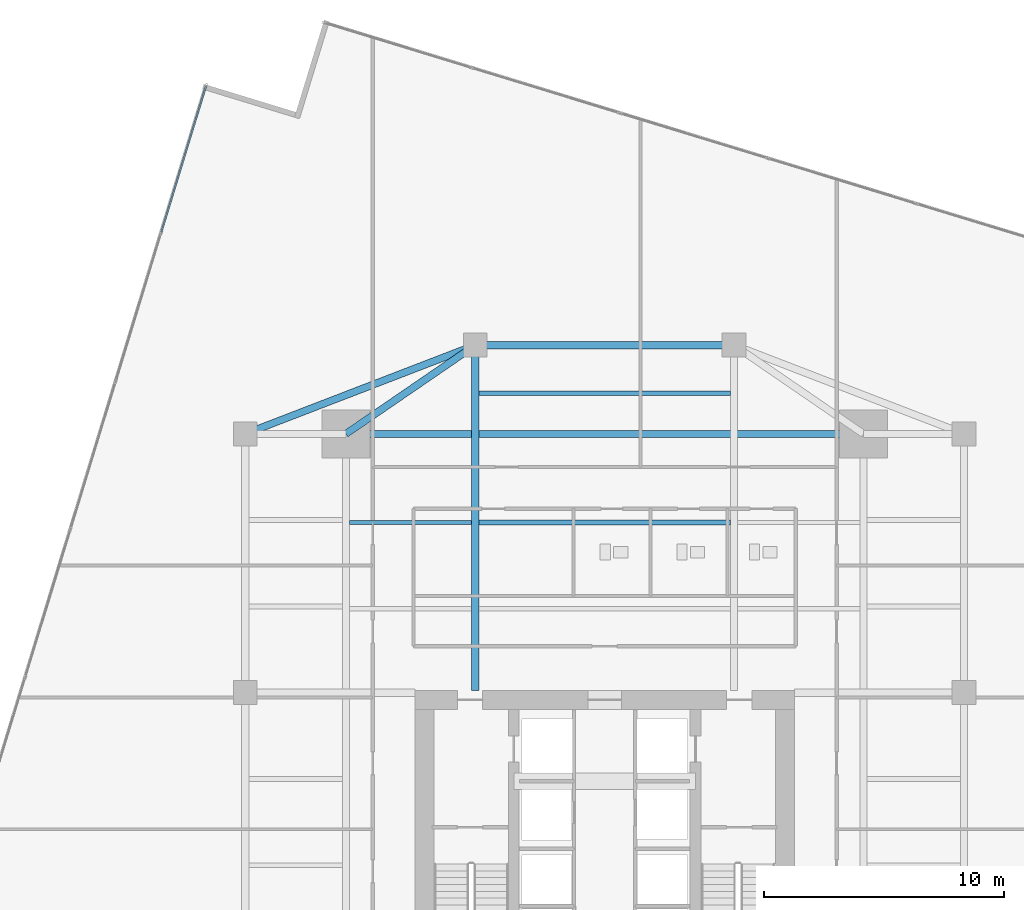
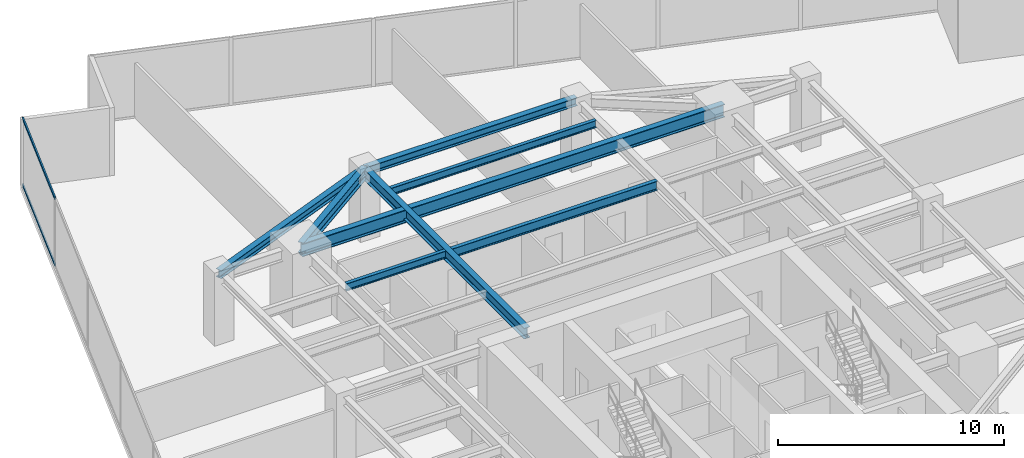
# One storey, part 15 of 26: 8 beams, 2 members, 1 element without a shape of its own.
"""IFC4 building model written with IfcOpenShell, lengths in metres."""

from ifc_helpers import new_model, si_unit, direction, frame, origin, origin_2d, place, context, subcontext, project, spatial, hollow_rectangle, i_section, extrude, source, transform, mapped, material, material_profile, profile_set, type_object, type_shapes, element, aggregate, save


model = new_model("IFC4")

# Units and contexts
model_context = context("Model", 3, precision=1e-05, world=origin(), true_north=direction((0.0, 1.0)))
body_context = subcontext(model_context, "Body", "Model", "MODEL_VIEW")
ifc_project = project(units=[si_unit("LENGTHUNIT", "METRE"), si_unit("AREAUNIT", "SQUARE_METRE"), si_unit("VOLUMEUNIT", "CUBIC_METRE"), si_unit("PLANEANGLEUNIT", "RADIAN"), si_unit("MASSUNIT", "GRAM", prefix="KILO")], contexts=[model_context])

# Site, building, storey
site_placement = place(None, origin())
site = spatial("IfcSite", under=ifc_project, at=site_placement, CompositionType="ELEMENT")
building_placement = place(site_placement, origin())
building = spatial("IfcBuilding", under=site, at=building_placement, Name="Krantzveldt Concourse Tower", CompositionType="ELEMENT")
storey_placement = place(building_placement, frame((0.0, 0.0, 109.800048828125)))
storey = spatial("IfcBuildingStorey", under=building, at=storey_placement, Name="L26", CompositionType="ELEMENT", Elevation=109.800048828125)

# Beams
ifc_material_1 = material(Name="Steel S355J2", Category="steel")
ifc_material_profile_1 = material_profile(ifc_material_1, i_section(OverallWidth=0.300048828125, OverallDepth=0.699951171875, WebThickness=0.01708984375, FlangeThickness=0.031982421875, FilletRadius=0.027099609375, at=origin_2d()), Name="Steel S355J2", Category="steel")
ifc_profile_set_1 = profile_set([ifc_material_profile_1], Name="Steel S355J2 - HEB 700")
beam_type_1 = type_object("IfcBeamType", Name="BM-B-HEB700", PredefinedType="BEAM", material=ifc_profile_set_1)
shared_shape_1 = source(origin(), body_context, "Body", "SweptSolid", [
    extrude(i_section(OverallWidth=0.300048828125, OverallDepth=0.699951171875, WebThickness=0.01708984375, FlangeThickness=0.031982421875, FilletRadius=0.027099609375, at=origin_2d()), origin(), (0.0, 0.0, 1.0), 21.60009765625),
])
type_shapes(beam_type_1, [shared_shape_1])
beam_1_placement = place(storey_placement, frame((25.199951171875, 37.5, 3.320068359375), z_axis=(1.0, 0.0, 0.0), x_axis=(0.0, 1.0, 0.0)))
element("IfcBeam", 1, at=beam_1_placement, inside=storey, type_object=beam_type_1, Name="L26 Tower Girder BG-MN", PredefinedType="BEAM", context=body_context, shape_type="MappedRepresentation", body=[
    mapped(shared_shape_1, transform((0.0, 0.0, 0.0), x_axis=(1.0, 0.0, 0.0), y_axis=(0.0, 1.0, 0.0), z_axis=(0.0, 0.0, 1.0), scale=1.0)),
])
ifc_material_2 = material(Name="Steel S355JR", Category="steel")
ifc_material_profile_2 = material_profile(ifc_material_2, i_section(OverallWidth=0.300048828125, OverallDepth=0.590087890625, WebThickness=0.012939453125, FlangeThickness=0.02490234375, FilletRadius=0.027099609375, at=origin_2d()), Name="Steel S355JR", Category="steel")
ifc_profile_set_2 = profile_set([ifc_material_profile_2], Name="Steel S355JR - HEA 600")
beam_type_2 = type_object("IfcBeamType", Name="BM-B-HEA600", PredefinedType="BEAM", material=ifc_profile_set_2)
shared_shape_2 = source(origin(), body_context, "Body", "SweptSolid", [
    extrude(i_section(OverallWidth=0.300048828125, OverallDepth=0.590087890625, WebThickness=0.012939453125, FlangeThickness=0.02490234375, FilletRadius=0.027099609375, at=origin_2d()), origin(), (0.0, 0.0, 1.0), 14.39990234375),
])
beam_2_placement = place(storey_placement, frame((30.60009765625, 26.800048828125, 3.375), z_axis=(0.0, 1.0, 0.0), x_axis=(-1.0, 0.0, 0.0)))
element("IfcBeam", 2, at=beam_2_placement, inside=storey, type_object=beam_type_2, Name="L26 Tower Girder BG-CNW", PredefinedType="BEAM", context=body_context, shape_type="MappedRepresentation", body=[
    mapped(shared_shape_2, transform((0.0, 0.0, 0.0), x_axis=(1.0, 0.0, 0.0), y_axis=(0.0, 1.0, 0.0), z_axis=(0.0, 0.0, 1.0), scale=1.0)),
])
ifc_material_profile_3 = material_profile(ifc_material_2, i_section(OverallWidth=0.300048828125, OverallDepth=0.43994140625, WebThickness=0.011474609375, FlangeThickness=0.02099609375, FilletRadius=0.027099609375, at=origin_2d()), Name="Steel S355JR", Category="steel")
ifc_profile_set_3 = profile_set([ifc_material_profile_3], Name="Steel S355JR - HEA 450")
beam_type_3 = type_object("IfcBeamType", Name="BM-SP-HEA450", PredefinedType="SPANDREL", material=ifc_profile_set_3)
shared_shape_3 = source(origin(), body_context, "Body", "SweptSolid", [
    extrude(i_section(OverallWidth=0.300048828125, OverallDepth=0.43994140625, WebThickness=0.011474609375, FlangeThickness=0.02099609375, FilletRadius=0.027099609375, at=origin_2d()), origin(), (0.0, 0.0, 1.0), 10.288330078125),
])
beam_3_placement = place(storey_placement, frame((21.0, 37.5, 3.449951171875), z_axis=(0.933097690408, 0.359622997257, 0.0), x_axis=(-0.359622997257, 0.933097690408, 0.0)))
element("IfcBeam", 3, at=beam_3_placement, inside=storey, type_object=beam_type_3, Name="L26 Tower Girder SP-R03", PredefinedType="SPANDREL", context=body_context, shape_type="MappedRepresentation", body=[
    mapped(shared_shape_3, transform((0.0, 0.0, 0.0), x_axis=(1.0, 0.0, 0.0), y_axis=(0.0, 1.0, 0.0), z_axis=(0.0, 0.0, 1.0), scale=1.0)),
])
shared_shape_4 = source(origin(), body_context, "Body", "SweptSolid", [
    extrude(i_section(OverallWidth=0.300048828125, OverallDepth=0.43994140625, WebThickness=0.011474609375, FlangeThickness=0.02099609375, FilletRadius=0.027099609375, at=origin_2d()), origin(), (0.0, 0.0, 1.0), 10.7998046875),
])
type_shapes(beam_type_3, [shared_shape_3, shared_shape_4])
beam_4_placement = place(storey_placement, frame((30.60009765625, 41.199951171875, 3.449951171875), z_axis=(1.0, 0.0, 0.0), x_axis=(0.0, 1.0, 0.0)))
element("IfcBeam", 4, at=beam_4_placement, inside=storey, type_object=beam_type_3, Name="L26 Tower Girder SP-R04", PredefinedType="SPANDREL", context=body_context, shape_type="MappedRepresentation", body=[
    mapped(shared_shape_4, transform((0.0, 0.0, 0.0), x_axis=(1.0, 0.0, 0.0), y_axis=(0.0, 1.0, 0.0), z_axis=(0.0, 0.0, 1.0), scale=1.0)),
])
shared_shape_5 = source(origin(), body_context, "Body", "SweptSolid", [
    extrude(i_section(OverallWidth=0.300048828125, OverallDepth=0.590087890625, WebThickness=0.012939453125, FlangeThickness=0.02490234375, FilletRadius=0.027099609375, at=origin_2d()), origin(), (0.0, 0.0, 1.0), 6.546142578125),
])
type_shapes(beam_type_2, [shared_shape_2, shared_shape_5])
beam_5_placement = place(storey_placement, frame((25.199951171875, 37.5, 3.375), z_axis=(0.824942999484, 0.565215930068, 0.0), x_axis=(-0.565215930068, 0.824942999484, 0.0)))
element("IfcBeam", 5, at=beam_5_placement, inside=storey, type_object=beam_type_2, Name="L26 Tower Girder BR-RL4", PredefinedType="BEAM", context=body_context, shape_type="MappedRepresentation", body=[
    mapped(shared_shape_5, transform((0.0, 0.0, 0.0), x_axis=(1.0, 0.0, 0.0), y_axis=(0.0, 1.0, 0.0), z_axis=(0.0, 0.0, 1.0), scale=1.0)),
])
ifc_material_profile_4 = material_profile(ifc_material_2, i_section(OverallWidth=0.199951171875, OverallDepth=0.5, WebThickness=0.01025390625, FlangeThickness=0.01611328125, FilletRadius=0.02099609375, at=origin_2d()), Name="Steel S355JR", Category="steel")
ifc_profile_set_4 = profile_set([ifc_material_profile_4], Name="Steel S355JR - IPE 500")
beam_type_4 = type_object("IfcBeamType", Name="BM-J-IPE500", PredefinedType="JOIST", material=ifc_profile_set_4)
shared_shape_6 = source(origin(), body_context, "Body", "SweptSolid", [
    extrude(i_section(OverallWidth=0.199951171875, OverallDepth=0.5, WebThickness=0.01025390625, FlangeThickness=0.01611328125, FilletRadius=0.02099609375, at=origin_2d()), origin(), (0.0, 0.0, 1.0), 10.5),
])
type_shapes(beam_type_4, [shared_shape_6])
beam_6_placement = place(storey_placement, frame((30.75, 33.800048828125, 3.419921875), z_axis=(1.0, 0.0, 0.0), x_axis=(0.0, 1.0, 0.0)))
element("IfcBeam", 6, at=beam_6_placement, inside=storey, type_object=beam_type_4, Name="L26 Secondary Floor Joist JN-C2", PredefinedType="JOIST", context=body_context, shape_type="MappedRepresentation", body=[
    mapped(shared_shape_6, transform((0.0, 0.0, 0.0), x_axis=(1.0, 0.0, 0.0), y_axis=(0.0, 1.0, 0.0), z_axis=(0.0, 0.0, 1.0), scale=1.0)),
])
ifc_material_profile_5 = material_profile(ifc_material_2, i_section(OverallWidth=0.179931640625, OverallDepth=0.39990234375, WebThickness=0.008544921875, FlangeThickness=0.013427734375, FilletRadius=0.02099609375, at=origin_2d()), Name="Steel S355JR", Category="steel")
ifc_profile_set_5 = profile_set([ifc_material_profile_5], Name="Steel S355JR - IPE 400")
beam_type_5 = type_object("IfcBeamType", Name="BM-J-IPE400", PredefinedType="JOIST", material=ifc_profile_set_5)
shared_shape_7 = source(origin(), body_context, "Body", "SweptSolid", [
    extrude(i_section(OverallWidth=0.179931640625, OverallDepth=0.39990234375, WebThickness=0.008544921875, FlangeThickness=0.013427734375, FilletRadius=0.02099609375, at=origin_2d()), origin(), (0.0, 0.0, 1.0), 10.5),
])
beam_7_placement = place(storey_placement, frame((30.75, 39.199951171875, 3.469970703125), z_axis=(1.0, 0.0, 0.0), x_axis=(0.0, 1.0, 0.0)))
element("IfcBeam", 7, at=beam_7_placement, inside=storey, type_object=beam_type_5, Name="L26 Secondary Floor Joist JN-C3", PredefinedType="JOIST", context=body_context, shape_type="MappedRepresentation", body=[
    mapped(shared_shape_7, transform((0.0, 0.0, 0.0), x_axis=(1.0, 0.0, 0.0), y_axis=(0.0, 1.0, 0.0), z_axis=(0.0, 0.0, 1.0), scale=1.0)),
])
shared_shape_8 = source(origin(), body_context, "Body", "SweptSolid", [
    extrude(i_section(OverallWidth=0.179931640625, OverallDepth=0.39990234375, WebThickness=0.008544921875, FlangeThickness=0.013427734375, FilletRadius=0.02099609375, at=origin_2d()), origin(), (0.0, 0.0, 1.0), 5.099853515625),
])
type_shapes(beam_type_5, [shared_shape_7, shared_shape_8])
beam_8_placement = place(storey_placement, frame((25.35009765625, 33.800048828125, 3.469970703125), z_axis=(1.0, 0.0, 0.0), x_axis=(0.0, 1.0, 0.0)))
element("IfcBeam", 8, at=beam_8_placement, inside=storey, type_object=beam_type_5, Name="L26 Secondary Floor Joist JN-W2", PredefinedType="JOIST", context=body_context, shape_type="MappedRepresentation", body=[
    mapped(shared_shape_8, transform((0.0, 0.0, 0.0), x_axis=(1.0, 0.0, 0.0), y_axis=(0.0, 1.0, 0.0), z_axis=(0.0, 0.0, 1.0), scale=1.0)),
])

# Curtain wall, members
ifc_material_3 = material(Name="Anodised aluminium 6063-T6", Category="aluminium")
curtain_wall_type = type_object("IfcCurtainWallType", Name="CW2", PredefinedType="USERDEFINED", material=ifc_material_3)
curtain_wall_placement = place(storey_placement, origin())
curtain_wall = element("IfcCurtainWall", 9, at=curtain_wall_placement, inside=storey, type_object=curtain_wall_type, Name="CW-L26-F01", ObjectType="UNITISED CURTAIN WALL", PredefinedType="USERDEFINED")
ifc_material_profile_6 = material_profile(ifc_material_3, hollow_rectangle(XDim=0.070068359375, YDim=0.139892578125, WallThickness=0.0048828125, at=origin_2d()), Name="Anodised aluminium 6063-T6", Category="aluminium")
ifc_profile_set_6 = profile_set([ifc_material_profile_6], Name="Anodised aluminium 6063-T6 - ALU-TRAN 140x70x5")
member_type = type_object("IfcMemberType", Name="CW-TRN-150", PredefinedType="USERDEFINED", material=ifc_profile_set_6)
shared_shape_9 = source(origin(), body_context, "Body", "SweptSolid", [
    extrude(hollow_rectangle(XDim=0.070068359375, YDim=0.139892578125, WallThickness=0.0048828125, at=origin_2d()), origin(), (0.0, 0.0, 1.0), 6.36181640625),
])
type_shapes(member_type, [shared_shape_9])
member_1_placement = place(storey_placement, frame((19.360107421875, 52.00048828125, 0.034912109375), z_axis=(-0.292389152537, -0.956299421457, 0.0), x_axis=(0.956299421457, -0.292389152537, 0.0)))
member_1 = element("IfcMember", 10, at=member_1_placement, type_object=member_type, Name="CW-Z12 transom 1.1", ObjectType="TRANSOM", PredefinedType="USERDEFINED", context=body_context, shape_type="MappedRepresentation", body=[
    mapped(shared_shape_9, transform((0.0, 0.0, 0.0), x_axis=(1.0, 0.0, 0.0), y_axis=(0.0, 1.0, 0.0), z_axis=(0.0, 0.0, 1.0), scale=1.0)),
])
member_2_placement = place(storey_placement, frame((19.360107421875, 52.00048828125, 3.635009765625), z_axis=(-0.292389152537, -0.956299421457, 0.0), x_axis=(0.956299421457, -0.292389152537, 0.0)))
member_2 = element("IfcMember", 11, at=member_2_placement, type_object=member_type, Name="CW-Z12 transom 1.2", ObjectType="TRANSOM", PredefinedType="USERDEFINED", context=body_context, shape_type="MappedRepresentation", body=[
    mapped(shared_shape_9, transform((0.0, 0.0, 0.0), x_axis=(1.0, 0.0, 0.0), y_axis=(0.0, 1.0, 0.0), z_axis=(0.0, 0.0, 1.0), scale=1.0)),
])
aggregate(curtain_wall, [member_1, member_2])

save(model, "model.ifc")
